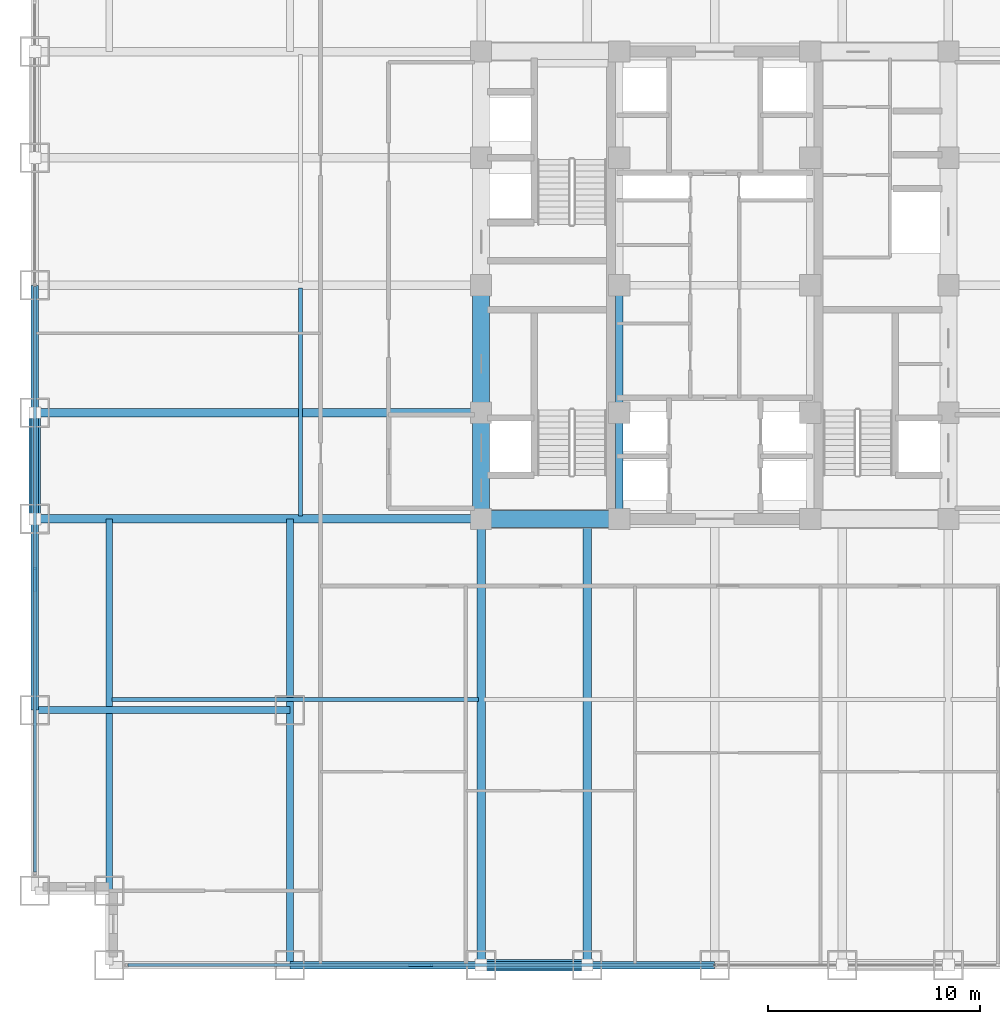
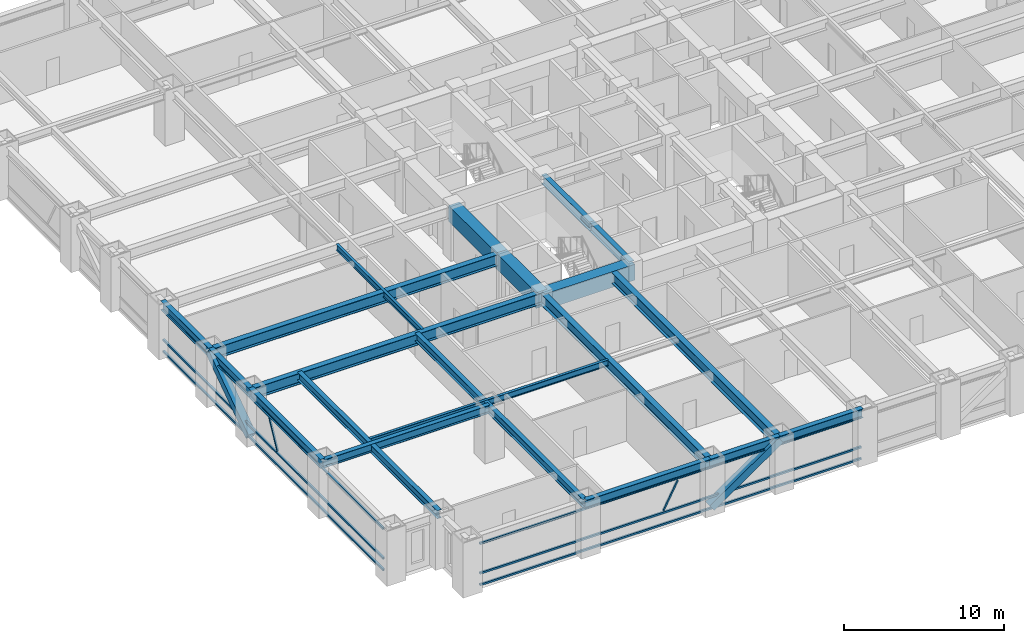
# One storey, part 3 of 28: 20 beams, 10 members, 2 elements without a shape of their own.
"""IFC4 building model written with IfcOpenShell, lengths in metres."""

from ifc_helpers import new_model, si_unit, direction, frame, origin, origin_2d, place, context, subcontext, project, spatial, rectangle, hollow_rectangle, i_section, extrude, source, transform, mapped, material, material_profile, profile_set, type_object, element, aggregate, save


model = new_model("IFC4")

# Units and contexts
model_context = context("Model", 3, precision=1e-05, world=origin(), true_north=direction((0.0, 1.0)))
body_context = subcontext(model_context, "Body", "Model", "MODEL_VIEW")
ifc_project = project(units=[si_unit("LENGTHUNIT", "METRE"), si_unit("AREAUNIT", "SQUARE_METRE"), si_unit("VOLUMEUNIT", "CUBIC_METRE"), si_unit("PLANEANGLEUNIT", "RADIAN"), si_unit("MASSUNIT", "GRAM", prefix="KILO")], contexts=[model_context])

# Site, building, storey
site_placement = place(None, origin())
site = spatial("IfcSite", under=ifc_project, at=site_placement, CompositionType="ELEMENT")
building_placement = place(site_placement, origin())
building = spatial("IfcBuilding", under=site, at=building_placement, Name="Khorayat Bourse Tower", CompositionType="ELEMENT")
storey_placement = place(building_placement, frame((0.0, 0.0, 83.0)))
storey = spatial("IfcBuildingStorey", under=building, at=storey_placement, Name="L18", CompositionType="ELEMENT", Elevation=83.0)

# Beams
ifc_material_1 = material(Name="Concrete C72/90", Category="concrete")
ifc_material_profile_1 = material_profile(ifc_material_1, rectangle(XDim=0.800048828125, YDim=1.199951171875, at=origin_2d()), Name="RC 800x1200")
ifc_profile_set_1 = profile_set([ifc_material_profile_1], Name="Concrete C72/90")
beam_type_1 = type_object("IfcBeamType", Name="BM-COUP-1200", PredefinedType="BEAM", material=ifc_profile_set_1)
shared_shape_1 = source(origin(), body_context, "Body", "SweptSolid", [
    extrude(rectangle(XDim=0.800048828125, YDim=1.199951171875, at=origin_2d()), origin(), (0.0, 0.0, 1.0), 5.0),
])
beam_1_placement = place(storey_placement, frame((-11.0, -11.0, 3.340087890625), z_axis=(0.0, 1.0, 0.0), x_axis=(-1.0, 0.0, 0.0)))
element("IfcBeam", 1, at=beam_1_placement, inside=storey, type_object=beam_type_1, Name="L18 BM-COUP-1200 BM-L18-CRX-01", PredefinedType="BEAM", context=body_context, shape_type="MappedRepresentation", body=[
    mapped(shared_shape_1, transform((0.0, 0.0, 0.0), scale=1.0)),
])
shared_shape_2 = source(origin(), body_context, "Body", "SweptSolid", [
    extrude(rectangle(XDim=0.800048828125, YDim=1.199951171875, at=origin_2d()), origin(), (0.0, 0.0, 1.0), 6.0),
])
beam_2_placement = place(storey_placement, frame((-11.0, -6.0, 3.340087890625), z_axis=(0.0, 1.0, 0.0), x_axis=(-1.0, 0.0, 0.0)))
element("IfcBeam", 2, at=beam_2_placement, inside=storey, type_object=beam_type_1, Name="L18 BM-COUP-1200 BM-L18-CRX-02", PredefinedType="BEAM", context=body_context, shape_type="MappedRepresentation", body=[
    mapped(shared_shape_2, transform((0.0, 0.0, 0.0), scale=1.0)),
])
ifc_material_2 = material(Name="Steel ASTM A992 Grade 50", Category="steel")
ifc_material_profile_2 = material_profile(ifc_material_2, i_section(OverallWidth=0.35498046875, OverallDepth=0.695068359375, WebThickness=0.015380859375, FlangeThickness=0.02490234375, FilletRadius=0.01806640625, at=origin_2d()), Name="W690X217")
ifc_profile_set_2 = profile_set([ifc_material_profile_2], Name="Steel ASTM A992 Grade 50")
beam_type_2 = type_object("IfcBeamType", Name="BM-GIRD-690", PredefinedType="BEAM", material=ifc_profile_set_2)
shared_shape_3 = source(origin(), body_context, "Body", "SweptSolid", [
    extrude(i_section(OverallWidth=0.35498046875, OverallDepth=0.695068359375, WebThickness=0.015380859375, FlangeThickness=0.02490234375, FilletRadius=0.01806640625, at=origin_2d()), origin(), (0.0, 0.0, 1.0), 5.0),
])
beam_3_placement = place(storey_placement, frame((-4.5, -11.0, 3.592529296875), z_axis=(0.0, 1.0, 0.0), x_axis=(-1.0, 0.0, 0.0)))
element("IfcBeam", 3, at=beam_3_placement, inside=storey, type_object=beam_type_2, Name="L18 BM-GIRD-690 BM-L18-CRX-05", PredefinedType="BEAM", context=body_context, shape_type="MappedRepresentation", body=[
    mapped(shared_shape_3, transform((0.0, 0.0, 0.0), scale=1.0)),
])
shared_shape_4 = source(origin(), body_context, "Body", "SweptSolid", [
    extrude(i_section(OverallWidth=0.35498046875, OverallDepth=0.695068359375, WebThickness=0.015380859375, FlangeThickness=0.02490234375, FilletRadius=0.01806640625, at=origin_2d()), origin(), (0.0, 0.0, 1.0), 6.0),
])
beam_4_placement = place(storey_placement, frame((-4.5, -6.0, 3.592529296875), z_axis=(0.0, 1.0, 0.0), x_axis=(-1.0, 0.0, 0.0)))
element("IfcBeam", 4, at=beam_4_placement, inside=storey, type_object=beam_type_2, Name="L18 BM-GIRD-690 BM-L18-CRX-06", PredefinedType="BEAM", context=body_context, shape_type="MappedRepresentation", body=[
    mapped(shared_shape_4, transform((0.0, 0.0, 0.0), scale=1.0)),
])
shared_shape_5 = source(origin(), body_context, "Body", "SweptSolid", [
    extrude(rectangle(XDim=0.800048828125, YDim=1.199951171875, at=origin_2d()), origin(), (0.0, 0.0, 1.0), 6.5),
])
beam_5_placement = place(storey_placement, frame((-11.0, -11.0, 3.340087890625), z_axis=(1.0, 0.0, 0.0), x_axis=(0.0, 1.0, 0.0)))
element("IfcBeam", 5, at=beam_5_placement, inside=storey, type_object=beam_type_1, Name="L18 BM-COUP-1200 BM-L18-CRY-17", PredefinedType="BEAM", context=body_context, shape_type="MappedRepresentation", body=[
    mapped(shared_shape_5, transform((0.0, 0.0, 0.0), scale=1.0)),
])
ifc_material_profile_3 = material_profile(ifc_material_2, i_section(OverallWidth=0.35498046875, OverallDepth=0.695068359375, WebThickness=0.015380859375, FlangeThickness=0.02490234375, FilletRadius=0.01806640625, at=origin_2d()), Name="W690X217")
ifc_profile_set_3 = profile_set([ifc_material_profile_3], Name="Steel ASTM A992 Grade 50")
beam_type_3 = type_object("IfcBeamType", Name="BM-SPAN-690", PredefinedType="SPANDREL", material=ifc_profile_set_3)
shared_shape_6 = source(origin(), body_context, "Body", "SweptSolid", [
    extrude(i_section(OverallWidth=0.35498046875, OverallDepth=0.695068359375, WebThickness=0.015380859375, FlangeThickness=0.02490234375, FilletRadius=0.01806640625, at=origin_2d()), origin(), (0.0, 0.0, 1.0), 9.0),
])
for number, where, z_axis, x_axis, name in (
    (6, (-20.0, -32.0, 3.592529296875), (1.0, 0.0, 0.0), (0.0, 1.0, 0.0), "L18 BM-SPAN-690 BM-L18-SPN-025"),
    (7, (-32.0, -20.0, 3.592529296875), (0.0, 1.0, 0.0), (-1.0, 0.0, 0.0), "L18 BM-SPAN-690 BM-L18-SPN-060"),
):
    element("IfcBeam", number, at=place(storey_placement, frame(where, z_axis=z_axis, x_axis=x_axis)), inside=storey, type_object=beam_type_3, Name=name, PredefinedType="SPANDREL", context=body_context, shape_type="MappedRepresentation", body=[
        mapped(shared_shape_6, transform((0.0, 0.0, 0.0), scale=1.0)),
    ])
shared_shape_7 = source(origin(), body_context, "Body", "SweptSolid", [
    extrude(i_section(OverallWidth=0.35498046875, OverallDepth=0.695068359375, WebThickness=0.015380859375, FlangeThickness=0.02490234375, FilletRadius=0.01806640625, at=origin_2d()), origin(), (0.0, 0.0, 1.0), 5.0),
])
for number, where, z_axis, x_axis, name in (
    (8, (-11.0, -32.0, 3.592529296875), (1.0, 0.0, 0.0), (0.0, 1.0, 0.0), "L18 BM-SPAN-690 BM-L18-SPN-026"),
    (9, (-32.0, -11.0, 3.592529296875), (0.0, 1.0, 0.0), (-1.0, 0.0, 0.0), "L18 BM-SPAN-690 BM-L18-SPN-059"),
):
    element("IfcBeam", number, at=place(storey_placement, frame(where, z_axis=z_axis, x_axis=x_axis)), inside=storey, type_object=beam_type_3, Name=name, PredefinedType="SPANDREL", context=body_context, shape_type="MappedRepresentation", body=[
        mapped(shared_shape_7, transform((0.0, 0.0, 0.0), scale=1.0)),
    ])
shared_shape_8 = source(origin(), body_context, "Body", "SweptSolid", [
    extrude(i_section(OverallWidth=0.35498046875, OverallDepth=0.695068359375, WebThickness=0.015380859375, FlangeThickness=0.02490234375, FilletRadius=0.01806640625, at=origin_2d()), origin(), (0.0, 0.0, 1.0), 6.0),
])
for number, where, z_axis, x_axis, name in (
    (10, (-6.0, -32.0, 3.592529296875), (1.0, 0.0, 0.0), (0.0, 1.0, 0.0), "L18 BM-SPAN-690 BM-L18-SPN-027"),
    (11, (-32.0, -6.0, 3.592529296875), (0.0, 1.0, 0.0), (-1.0, 0.0, 0.0), "L18 BM-SPAN-690 BM-L18-SPN-058"),
):
    element("IfcBeam", number, at=place(storey_placement, frame(where, z_axis=z_axis, x_axis=x_axis)), inside=storey, type_object=beam_type_3, Name=name, PredefinedType="SPANDREL", context=body_context, shape_type="MappedRepresentation", body=[
        mapped(shared_shape_8, transform((0.0, 0.0, 0.0), scale=1.0)),
    ])
ifc_material_profile_4 = material_profile(ifc_material_2, i_section(OverallWidth=0.39990234375, OverallDepth=0.85498046875, WebThickness=0.018310546875, FlangeThickness=0.029296875, FilletRadius=0.02001953125, at=origin_2d()), Name="W840X299")
ifc_profile_set_4 = profile_set([ifc_material_profile_4], Name="Steel ASTM A992 Grade 50")
beam_type_4 = type_object("IfcBeamType", Name="BM-GIRD-840", PredefinedType="BEAM", material=ifc_profile_set_4)
shared_shape_9 = source(origin(), body_context, "Body", "SweptSolid", [
    extrude(i_section(OverallWidth=0.39990234375, OverallDepth=0.85498046875, WebThickness=0.018310546875, FlangeThickness=0.029296875, FilletRadius=0.02001953125, at=origin_2d()), origin(), (0.0, 0.0, 1.0), 21.0),
])
for number, where, z_axis, x_axis, name in (
    (12, (-11.0, -32.0, 3.512451171875), (0.0, 1.0, 0.0), (-1.0, 0.0, 0.0), "L18 BM-GIRD-840 BM-L18-RADY-065"),
    (13, (-6.0, -32.0, 3.512451171875), (0.0, 1.0, 0.0), (-1.0, 0.0, 0.0), "L18 BM-GIRD-840 BM-L18-RADY-067"),
    (14, (-32.0, -11.0, 3.512451171875), (1.0, 0.0, 0.0), (0.0, 1.0, 0.0), "L18 BM-GIRD-840 BM-L18-RADX-075"),
    (15, (-32.0, -6.0, 3.512451171875), (1.0, 0.0, 0.0), (0.0, 1.0, 0.0), "L18 BM-GIRD-840 BM-L18-RADX-077"),
):
    element("IfcBeam", number, at=place(storey_placement, frame(where, z_axis=z_axis, x_axis=x_axis)), inside=storey, type_object=beam_type_4, Name=name, PredefinedType="BEAM", context=body_context, shape_type="MappedRepresentation", body=[
        mapped(shared_shape_9, transform((0.0, 0.0, 0.0), scale=1.0)),
    ])
ifc_material_profile_5 = material_profile(ifc_material_2, i_section(OverallWidth=0.324951171875, OverallDepth=0.615966796875, WebThickness=0.013916015625, FlangeThickness=0.021484375, FilletRadius=0.01611328125, at=origin_2d()), Name="W610X174")
ifc_profile_set_5 = profile_set([ifc_material_profile_5], Name="Steel ASTM A992 Grade 50")
beam_type_5 = type_object("IfcBeamType", Name="BM-GIRD-610", PredefinedType="BEAM", material=ifc_profile_set_5)
shared_shape_10 = source(origin(), body_context, "Body", "SweptSolid", [
    extrude(i_section(OverallWidth=0.324951171875, OverallDepth=0.615966796875, WebThickness=0.013916015625, FlangeThickness=0.021484375, FilletRadius=0.01611328125, at=origin_2d()), origin(), (0.0, 0.0, 1.0), 21.0),
])
beam_6_placement = place(storey_placement, frame((-20.0, -32.0, 3.632080078125), z_axis=(0.0, 1.0, 0.0), x_axis=(-1.0, 0.0, 0.0)))
element("IfcBeam", 16, at=beam_6_placement, inside=storey, type_object=beam_type_5, Name="L18 BM-GIRD-610 BM-L18-CNRY-084", PredefinedType="BEAM", context=body_context, shape_type="MappedRepresentation", body=[
    mapped(shared_shape_10, transform((0.0, 0.0, 0.0), scale=1.0)),
])
shared_shape_11 = source(origin(), body_context, "Body", "SweptSolid", [
    extrude(i_section(OverallWidth=0.324951171875, OverallDepth=0.615966796875, WebThickness=0.013916015625, FlangeThickness=0.021484375, FilletRadius=0.01611328125, at=origin_2d()), origin(), (0.0, 0.0, 1.0), 17.5),
])
beam_7_placement = place(storey_placement, frame((-28.5, -28.5, 3.632080078125), z_axis=(0.0, 1.0, 0.0), x_axis=(-1.0, 0.0, 0.0)))
element("IfcBeam", 17, at=beam_7_placement, inside=storey, type_object=beam_type_5, Name="L18 BM-GIRD-610 BM-L18-CNRY-088", PredefinedType="BEAM", context=body_context, shape_type="MappedRepresentation", body=[
    mapped(shared_shape_11, transform((0.0, 0.0, 0.0), scale=1.0)),
])
shared_shape_12 = source(origin(), body_context, "Body", "SweptSolid", [
    extrude(i_section(OverallWidth=0.324951171875, OverallDepth=0.615966796875, WebThickness=0.013916015625, FlangeThickness=0.021484375, FilletRadius=0.01611328125, at=origin_2d()), origin(), (0.0, 0.0, 1.0), 12.0),
])
beam_8_placement = place(storey_placement, frame((-32.0, -20.0, 3.632080078125), z_axis=(1.0, 0.0, 0.0), x_axis=(0.0, 1.0, 0.0)))
element("IfcBeam", 18, at=beam_8_placement, inside=storey, type_object=beam_type_5, Name="L18 BM-GIRD-610 BM-L18-CNRX-093", PredefinedType="BEAM", context=body_context, shape_type="MappedRepresentation", body=[
    mapped(shared_shape_12, transform((0.0, 0.0, 0.0), scale=1.0)),
])
ifc_material_profile_6 = material_profile(ifc_material_2, i_section(OverallWidth=0.194091796875, OverallDepth=0.468994140625, WebThickness=0.0126953125, FlangeThickness=0.0205078125, FilletRadius=0.012939453125, at=origin_2d()), Name="W460X106")
ifc_profile_set_6 = profile_set([ifc_material_profile_6], Name="Steel ASTM A992 Grade 50")
beam_type_6 = type_object("IfcBeamType", Name="BM-JOIST-460", PredefinedType="JOIST", material=ifc_profile_set_6)
shared_shape_13 = source(origin(), body_context, "Body", "SweptSolid", [
    extrude(i_section(OverallWidth=0.194091796875, OverallDepth=0.468994140625, WebThickness=0.0126953125, FlangeThickness=0.0205078125, FilletRadius=0.012939453125, at=origin_2d()), origin(), (0.0, 0.0, 1.0), 17.240234375),
])
beam_9_placement = place(storey_placement, frame((-28.3701171875, -19.5, 3.70556640625), z_axis=(1.0, 0.0, 0.0), x_axis=(0.0, 1.0, 0.0)))
element("IfcBeam", 19, at=beam_9_placement, inside=storey, type_object=beam_type_6, Name="L18 BM-JOIST-460 BM-L18-JSTX-096", PredefinedType="JOIST", context=body_context, shape_type="MappedRepresentation", body=[
    mapped(shared_shape_13, transform((0.0, 0.0, 0.0), scale=1.0)),
])
shared_shape_14 = source(origin(), body_context, "Body", "SweptSolid", [
    extrude(i_section(OverallWidth=0.194091796875, OverallDepth=0.468994140625, WebThickness=0.0126953125, FlangeThickness=0.0205078125, FilletRadius=0.012939453125, at=origin_2d()), origin(), (0.0, 0.0, 1.0), 10.740234375),
])
beam_10_placement = place(storey_placement, frame((-19.5, -10.8701171875, 3.70556640625), z_axis=(0.0, 1.0, 0.0), x_axis=(-1.0, 0.0, 0.0)))
element("IfcBeam", 20, at=beam_10_placement, inside=storey, type_object=beam_type_6, Name="L18 BM-JOIST-460 BM-L18-JSTY-102", PredefinedType="JOIST", context=body_context, shape_type="MappedRepresentation", body=[
    mapped(shared_shape_14, transform((0.0, 0.0, 0.0), scale=1.0)),
])

# Members
ifc_material_3 = material(Name="Steel EN 10025-4 S460M", Category="steel")
ifc_material_profile_7 = material_profile(ifc_material_3, hollow_rectangle(XDim=0.550048828125, YDim=0.550048828125, WallThickness=0.031982421875, at=origin_2d()), Name="HSS 550x550x32")
ifc_profile_set_7 = profile_set([ifc_material_profile_7], Name="Steel EN 10025-4 S460M")
member_type_1 = type_object("IfcMemberType", Name="MBR-TUBE-550", PredefinedType="BRACE", material=ifc_profile_set_7)
shared_shape_15 = source(origin(), body_context, "Body", "SweptSolid", [
    extrude(hollow_rectangle(XDim=0.550048828125, YDim=0.550048828125, WallThickness=0.031982421875, at=origin_2d()), origin(), (0.0, 0.0, 1.0), 6.069091796875),
])
for number, where, z_axis, x_axis, name in (
    (21, (-11.0, -32.0, 0.25), (0.823854080622, 0.0, 0.566801952928), (0.0, 1.0, 0.0), "L18 Perimeter Tube Brace 01"),
    (22, (-32.0, -11.0, 0.25), (0.0, 0.823854080622, 0.566801952928), (-1.0, 0.0, 0.0), "L18 Perimeter Tube Brace 05"),
):
    element("IfcMember", number, at=place(storey_placement, frame(where, z_axis=z_axis, x_axis=x_axis)), inside=storey, type_object=member_type_1, Name=name, PredefinedType="BRACE", context=body_context, shape_type="MappedRepresentation", body=[
        mapped(shared_shape_15, transform((0.0, 0.0, 0.0), scale=1.0)),
    ])

# Curtain wall, member
ifc_material_4 = material(Name="Aluminium EN AW-6063 T6", Category="aluminium")
curtain_wall_type = type_object("IfcCurtainWallType", Name="CW-SYS-02", PredefinedType="NOTDEFINED", material=ifc_material_4)
curtain_wall_1_placement = place(storey_placement, origin())
curtain_wall_1 = element("IfcCurtainWall", 23, at=curtain_wall_1_placement, inside=storey, type_object=curtain_wall_type, Name="L18 Curtain Wall CW-L18-S1", PredefinedType="NOTDEFINED")
ifc_material_profile_8 = material_profile(ifc_material_4, hollow_rectangle(XDim=0.1201171875, YDim=0.1201171875, WallThickness=0.0048828125, at=origin_2d()), Name="ALU 120x120x5")
ifc_profile_set_8 = profile_set([ifc_material_profile_8], Name="Aluminium EN AW-6063 T6")
member_type_2 = type_object("IfcMemberType", Name="CWM-DIAG-120", PredefinedType="MULLION", material=ifc_profile_set_8)
shared_shape_16 = source(origin(), body_context, "Body", "SweptSolid", [
    extrude(hollow_rectangle(XDim=0.1201171875, YDim=0.1201171875, WallThickness=0.0048828125, at=origin_2d()), origin(), (0.0, 0.0, 1.0), 2.22607421875),
])
member_1_placement = place(storey_placement, frame((-14.3583984375, -32.0, 1.10009765625), z_axis=(0.465759992596, 0.0, 0.884911085532), x_axis=(0.0, 1.0, 0.0)))
member_1 = element("IfcMember", 24, at=member_1_placement, type_object=member_type_2, Name="CW-L18-S1 Faceted Diagonal Mullion 1", PredefinedType="MULLION", context=body_context, shape_type="MappedRepresentation", body=[
    mapped(shared_shape_16, transform((0.0, 0.0, 0.0), scale=1.0)),
])

curtain_wall_2_placement = place(storey_placement, origin())
curtain_wall_2 = element("IfcCurtainWall", 25, at=curtain_wall_2_placement, inside=storey, type_object=curtain_wall_type, Name="L18 Curtain Wall CW-L18-W1", PredefinedType="NOTDEFINED")
member_2_placement = place(storey_placement, frame((-32.0, -14.3583984375, 1.10009765625), z_axis=(0.0, 0.465759992596, 0.884911085532), x_axis=(-1.0, 0.0, 0.0)))
member_2 = element("IfcMember", 26, at=member_2_placement, type_object=member_type_2, Name="CW-L18-W1 Faceted Diagonal Mullion 1", PredefinedType="MULLION", context=body_context, shape_type="MappedRepresentation", body=[
    mapped(shared_shape_16, transform((0.0, 0.0, 0.0), scale=1.0)),
])

# Member
ifc_material_profile_9 = material_profile(ifc_material_4, hollow_rectangle(XDim=0.139892578125, YDim=0.139892578125, WallThickness=0.006103515625, at=origin_2d()), Name="ALU 140x140x6")
ifc_profile_set_9 = profile_set([ifc_material_profile_9], Name="Aluminium EN AW-6063 T6")
member_type_3 = type_object("IfcMemberType", Name="CWT-HORZ-140", PredefinedType="USERDEFINED", material=ifc_profile_set_9)
shared_shape_17 = source(origin(), body_context, "Body", "SweptSolid", [
    extrude(hollow_rectangle(XDim=0.139892578125, YDim=0.139892578125, WallThickness=0.006103515625, at=origin_2d()), origin(), (0.0, 0.0, 1.0), 27.5400390625),
])
member_3_placement = place(storey_placement, frame((-27.610107421875, -32.0, 0.070068359375), z_axis=(1.0, 0.0, 0.0), x_axis=(0.0, 1.0, 0.0)))
member_3 = element("IfcMember", 27, at=member_3_placement, type_object=member_type_3, Name="CW-L18-S1 Horizontal Transom 1-1", ObjectType="TRANSOM", PredefinedType="USERDEFINED", context=body_context, shape_type="MappedRepresentation", body=[
    mapped(shared_shape_17, transform((0.0, 0.0, 0.0), scale=1.0)),
])

member_4_placement = place(storey_placement, frame((-27.610107421875, -32.0, 0.949951171875), z_axis=(1.0, 0.0, 0.0), x_axis=(0.0, 1.0, 0.0)))
member_4 = element("IfcMember", 28, at=member_4_placement, type_object=member_type_3, Name="CW-L18-S1 Horizontal Transom 1-2", ObjectType="TRANSOM", PredefinedType="USERDEFINED", context=body_context, shape_type="MappedRepresentation", body=[
    mapped(shared_shape_17, transform((0.0, 0.0, 0.0), scale=1.0)),
])

member_5_placement = place(storey_placement, frame((-27.610107421875, -32.0, 3.219970703125), z_axis=(1.0, 0.0, 0.0), x_axis=(0.0, 1.0, 0.0)))
member_5 = element("IfcMember", 29, at=member_5_placement, type_object=member_type_3, Name="CW-L18-S1 Horizontal Transom 1-3", ObjectType="TRANSOM", PredefinedType="USERDEFINED", context=body_context, shape_type="MappedRepresentation", body=[
    mapped(shared_shape_17, transform((0.0, 0.0, 0.0), scale=1.0)),
])

aggregate(curtain_wall_1, [member_3, member_4, member_5, member_1])

member_6_placement = place(storey_placement, frame((-32.0, -27.610107421875, 0.070068359375), z_axis=(0.0, 1.0, 0.0), x_axis=(-1.0, 0.0, 0.0)))
member_6 = element("IfcMember", 30, at=member_6_placement, type_object=member_type_3, Name="CW-L18-W1 Horizontal Transom 1-1", ObjectType="TRANSOM", PredefinedType="USERDEFINED", context=body_context, shape_type="MappedRepresentation", body=[
    mapped(shared_shape_17, transform((0.0, 0.0, 0.0), scale=1.0)),
])

member_7_placement = place(storey_placement, frame((-32.0, -27.610107421875, 0.949951171875), z_axis=(0.0, 1.0, 0.0), x_axis=(-1.0, 0.0, 0.0)))
member_7 = element("IfcMember", 31, at=member_7_placement, type_object=member_type_3, Name="CW-L18-W1 Horizontal Transom 1-2", ObjectType="TRANSOM", PredefinedType="USERDEFINED", context=body_context, shape_type="MappedRepresentation", body=[
    mapped(shared_shape_17, transform((0.0, 0.0, 0.0), scale=1.0)),
])

member_8_placement = place(storey_placement, frame((-32.0, -27.610107421875, 3.219970703125), z_axis=(0.0, 1.0, 0.0), x_axis=(-1.0, 0.0, 0.0)))
member_8 = element("IfcMember", 32, at=member_8_placement, type_object=member_type_3, Name="CW-L18-W1 Horizontal Transom 1-3", ObjectType="TRANSOM", PredefinedType="USERDEFINED", context=body_context, shape_type="MappedRepresentation", body=[
    mapped(shared_shape_17, transform((0.0, 0.0, 0.0), scale=1.0)),
])

aggregate(curtain_wall_2, [member_6, member_7, member_8, member_2])

save(model, "model.ifc")
